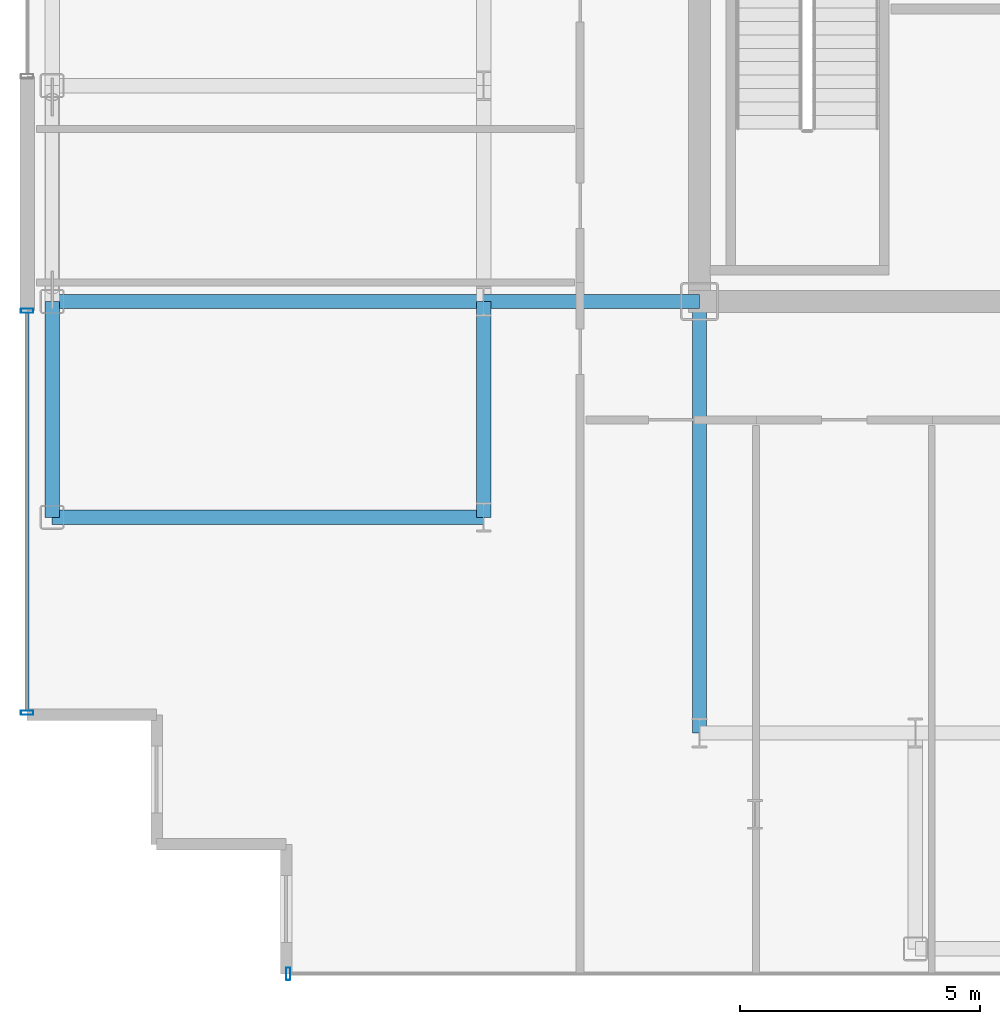
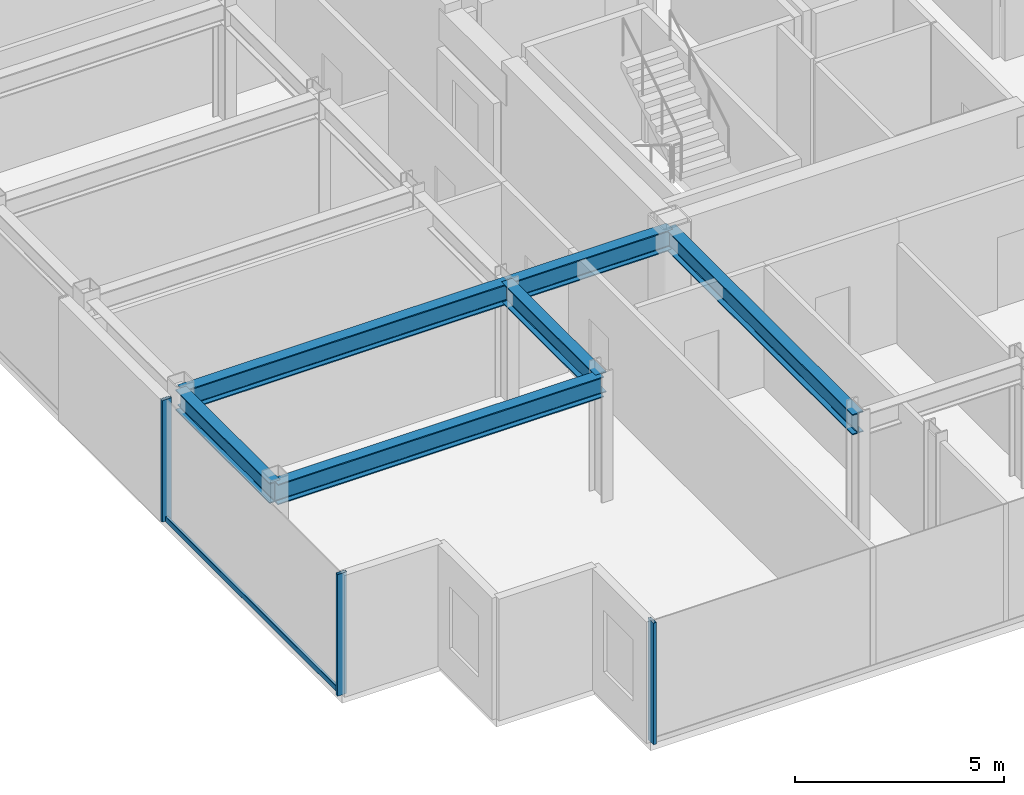
# One storey, part 2 of 18: 6 beams, 4 members, 2 elements without a shape of their own.
"""IFC4 building model written with IfcOpenShell, lengths in metres."""

import ifcopenshell
import ifcopenshell.guid

model = None  # the IFC model being written
_history = None  # IfcOwnerHistory: only IFC2X3 demands one
_inside = {}  # id of a spatial element -> (the spatial element, [elements in it])
_under = {}  # id of a project, library or spatial element -> (it, [spatial elements below it])
_declared = {}  # id of a project -> (the project, [libraries it declares])
_typed = {}  # id of a type object -> (the type object, [elements of that type])
_made_of = {}  # id of a material, layer set ... -> (it, [elements and type objects made of it])


def new_model(schema):
    """Start an empty IFC model of exactly this schema.

    Asked for "IFC4X3", IfcOpenShell would pick the latest addendum, in which some entities
    have other attributes; the version numbers below select the first issue.
    IFC2X3 requires an IfcOwnerHistory on every rooted entity: one is made here for all.
    """
    global model, _history
    if schema == "IFC4X3":
        model = ifcopenshell.file(schema_version=(4, 3, 0, 0))
    else:
        model = ifcopenshell.file(schema=schema)
    _inside.clear()
    _under.clear()
    _declared.clear()
    _typed.clear()
    _made_of.clear()
    _history = None
    if model.schema == "IFC2X3":
        org = make("IfcOrganization", Name="unknown")
        user = make(
            "IfcPersonAndOrganization",
            ThePerson=make("IfcPerson", FamilyName="unknown"),
            TheOrganization=org,
        )
        app = make(
            "IfcApplication",
            ApplicationDeveloper=org,
            Version="unknown",
            ApplicationFullName="unknown",
            ApplicationIdentifier="unknown",
        )
        _history = make(
            "IfcOwnerHistory",
            OwningUser=user,
            OwningApplication=app,
            ChangeAction="ADDED",
            CreationDate=0,
        )
    return model


def make(cls, **values):
    """One entity of the class cls with the attributes given. An attribute that is None is left unset."""
    return model.create_entity(
        cls, **{name: value for name, value in values.items() if value is not None}
    )


def rooted(cls, **values):
    """An entity with a GlobalId (a new one), such as an element, a storey or a relation."""
    return make(cls, GlobalId=ifcopenshell.guid.new(), OwnerHistory=_history, **values)


def si_unit(unit_type, name, prefix=None):
    """IfcSIUnit, for example si_unit("LENGTHUNIT", "METRE", prefix="MILLI")."""
    return make("IfcSIUnit", UnitType=unit_type, Prefix=prefix, Name=name)


def assignment(units):
    """IfcUnitAssignment: the units of a project."""
    return None if units is None else make("IfcUnitAssignment", Units=units)


def point(xyz):
    """IfcCartesianPoint."""
    return None if xyz is None else make("IfcCartesianPoint", Coordinates=xyz)


def direction(xyz):
    """IfcDirection."""
    return None if xyz is None else make("IfcDirection", DirectionRatios=xyz)


def frame(location, z_axis=None, x_axis=None):
    """IfcAxis2Placement3D, a coordinate frame: its origin and axes. An axis left out is left unset."""
    return make(
        "IfcAxis2Placement3D",
        Location=point(location),
        Axis=direction(z_axis),
        RefDirection=direction(x_axis),
    )


def frame_2d(location, x_axis=None):
    """IfcAxis2Placement2D, a coordinate frame in the plane: its origin and x axis."""
    return make(
        "IfcAxis2Placement2D", Location=point(location), RefDirection=direction(x_axis)
    )


def origin():
    """The frame at (0, 0, 0) with its axes left unset."""
    return frame((0.0, 0.0, 0.0))


def origin_2d():
    """The frame at (0, 0) in the plane with its x axis left unset."""
    return frame_2d((0.0, 0.0))


def place(relative_to, where):
    """IfcLocalPlacement: puts the frame where relative to a parent placement (None: the world)."""
    return make(
        "IfcLocalPlacement", PlacementRelTo=relative_to, RelativePlacement=where
    )


def context(
    kind, dimensions, precision=None, world=None, true_north=None, identifier=None
):
    """IfcGeometricRepresentationContext, for example the 3D "Model" context."""
    return make(
        "IfcGeometricRepresentationContext",
        ContextIdentifier=identifier,
        ContextType=kind,
        CoordinateSpaceDimension=dimensions,
        Precision=precision,
        WorldCoordinateSystem=world,
        TrueNorth=true_north,
    )


def subcontext(parent, identifier, kind, view, scale=None):
    """IfcGeometricRepresentationSubContext, for example "Body" below "Model"."""
    return make(
        "IfcGeometricRepresentationSubContext",
        ContextIdentifier=identifier,
        ContextType=kind,
        ParentContext=parent,
        TargetScale=scale,
        TargetView=view,
    )


def project(units=None, contexts=None):
    """IfcProject with its units and contexts."""
    return rooted(
        "IfcProject",
        Name="project",
        RepresentationContexts=contexts,
        UnitsInContext=assignment(units),
    )


def spatial(cls, under=None, at=None, **own):
    """A site, building, storey or space (cls), placed at a placement, below another one or the project."""
    s = rooted(cls, ObjectPlacement=at, **own)
    if under is not None:
        _under.setdefault(under.id(), (under, []))[1].append(s)
    return s


def profile(cls, at=None, kind="AREA", **sizes):
    """A parametric profile (cls). Its sizes go by their IFC names, for example OverallWidth=200.0."""
    return make(cls, ProfileType=kind, Position=at, **sizes)


def hollow_rectangle(**sizes):
    """IfcRectangleHollowProfileDef."""
    return profile("IfcRectangleHollowProfileDef", **sizes)


def i_section(**sizes):
    """IfcIShapeProfileDef."""
    return profile("IfcIShapeProfileDef", **sizes)


def extrude(swept, where, along, depth):
    """IfcExtrudedAreaSolid: the profile swept, set in the frame where, extruded along a direction by depth."""
    return make(
        "IfcExtrudedAreaSolid",
        SweptArea=swept,
        Position=where,
        ExtrudedDirection=direction(along),
        Depth=depth,
    )


def shape(context_of_items, identifier, shape_type, items):
    """IfcShapeRepresentation: the items that make up one representation, for example the "Body"."""
    return make(
        "IfcShapeRepresentation",
        ContextOfItems=context_of_items,
        RepresentationIdentifier=identifier,
        RepresentationType=shape_type,
        Items=items,
    )


def source(mapping_origin, context_of_items, identifier, shape_type, items):
    """IfcRepresentationMap: a shape defined once, which mapped items show again and again."""
    return make(
        "IfcRepresentationMap",
        MappingOrigin=mapping_origin,
        MappedRepresentation=shape(context_of_items, identifier, shape_type, items),
    )


def transform(
    local_origin,
    x_axis=None,
    y_axis=None,
    z_axis=None,
    scale=None,
    scale2=None,
    scale3=None,
    uniform=True,
):
    """IfcCartesianTransformationOperator3D, or its non-uniform kind. x_axis, y_axis, z_axis: its Axis1, 2, 3."""
    if uniform:
        return make(
            "IfcCartesianTransformationOperator3D",
            Axis1=direction(x_axis),
            Axis2=direction(y_axis),
            LocalOrigin=point(local_origin),
            Scale=scale,
            Axis3=direction(z_axis),
        )
    return make(
        "IfcCartesianTransformationOperator3DnonUniform",
        Axis1=direction(x_axis),
        Axis2=direction(y_axis),
        LocalOrigin=point(local_origin),
        Scale=scale,
        Axis3=direction(z_axis),
        Scale2=scale2,
        Scale3=scale3,
    )


def mapped(mapping_source, mapping_target):
    """IfcMappedItem: shows the shape of a source again, moved by a transform."""
    return make(
        "IfcMappedItem", MappingSource=mapping_source, MappingTarget=mapping_target
    )


def material(Name=None, Category=None):
    """IfcMaterial."""
    return make("IfcMaterial", Name=Name, Category=Category)


def layer(
    of_material, thickness, ventilated=None, Name=None, Category=None, Priority=None
):
    """IfcMaterialLayer: one layer of a wall or slab, of a material (None: an air gap)."""
    return make(
        "IfcMaterialLayer",
        Material=of_material,
        LayerThickness=thickness,
        IsVentilated=ventilated,
        Name=Name,
        Category=Category,
        Priority=Priority,
    )


def layer_set(layers, Name=None):
    """IfcMaterialLayerSet."""
    return make("IfcMaterialLayerSet", MaterialLayers=layers, LayerSetName=Name)


def material_profile(
    of_material, cross_section, Name=None, Category=None, Priority=None
):
    """IfcMaterialProfile: a cross section and its material."""
    return make(
        "IfcMaterialProfile",
        Name=Name,
        Material=of_material,
        Profile=cross_section,
        Priority=Priority,
        Category=Category,
    )


def profile_set(profiles, Name=None, composite=None):
    """IfcMaterialProfileSet."""
    return make(
        "IfcMaterialProfileSet",
        Name=Name,
        MaterialProfiles=profiles,
        CompositeProfile=composite,
    )


def made_of(thing, what):
    """Note that an element or type object is made of a material, layer set ...; save() writes the relation."""
    if what is not None:
        _made_of.setdefault(what.id(), (what, []))[1].append(thing)
    return thing


def type_object(cls, material=None, **own):
    """A type object (cls), such as IfcWallType, which elements share."""
    return made_of(rooted(cls, **own), material)


def element(
    cls,
    number,
    at=None,
    inside=None,
    cuts=None,
    type_object=None,
    material=None,
    context=None,
    identifier="Body",
    shape_type=None,
    held_by="IfcProductDefinitionShape",
    body=None,
    shapes=None,
    **own,
):
    """One element of the class cls, such as IfcWall. Its Tag is "e" and its number.

    at: its placement. inside: the storey or other place that contains it. cuts: it is an
    opening in that element (IfcRelVoidsElement). A single representation is given by context,
    identifier, shape_type and body (its items); several are given by shapes. held_by: the class
    of the entity that holds the representations. save() writes the other relations.
    """
    e = rooted(cls, Tag="e%d" % number, ObjectPlacement=at, **own)
    if body is not None:
        shapes = [shape(context, identifier, shape_type, body)]
    if shapes is not None:
        e.Representation = make(held_by, Representations=shapes)
    if inside is not None:
        _inside.setdefault(inside.id(), (inside, []))[1].append(e)
    if cuts is not None:
        rooted(
            "IfcRelVoidsElement", RelatingBuildingElement=cuts, RelatedOpeningElement=e
        )
    if type_object is not None:
        _typed.setdefault(type_object.id(), (type_object, []))[1].append(e)
    return made_of(e, material)


def aggregate(whole, parts):
    """IfcRelAggregates: a whole, such as a stair, and the parts it consists of."""
    return rooted("IfcRelAggregates", RelatingObject=whole, RelatedObjects=parts)


def save(model, path):
    """Write the relations noted so far, then the file.

    IfcRelAggregates (storeys below a building ...), IfcRelContainedInSpatialStructure (elements
    in a storey), IfcRelDefinesByType, IfcRelAssociatesMaterial and IfcRelDeclares: one each for
    every whole, place, type object, material and project.
    """
    for whole, parts in _under.values():
        aggregate(whole, parts)
    for where, things in _inside.values():
        rooted(
            "IfcRelContainedInSpatialStructure",
            RelatedElements=things,
            RelatingStructure=where,
        )
    for kind, things in _typed.values():
        rooted("IfcRelDefinesByType", RelatedObjects=things, RelatingType=kind)
    for what, things in _made_of.values():
        rooted("IfcRelAssociatesMaterial", RelatedObjects=things, RelatingMaterial=what)
    for by, libraries in _declared.values():
        rooted("IfcRelDeclares", RelatingContext=by, RelatedDefinitions=libraries)
    model.write(path)


model = new_model("IFC4")

# Units and contexts
model_context = context("Model", 3, precision=1e-05, world=origin(), true_north=direction((0.0, 1.0)))
body_context = subcontext(model_context, "Body", "Model", "MODEL_VIEW")
ifc_project = project(units=[si_unit("LENGTHUNIT", "METRE"), si_unit("AREAUNIT", "SQUARE_METRE"), si_unit("VOLUMEUNIT", "CUBIC_METRE"), si_unit("PLANEANGLEUNIT", "RADIAN"), si_unit("MASSUNIT", "GRAM", prefix="KILO")], contexts=[model_context])

# Site, building, storey
site_placement = place(None, origin())
site = spatial("IfcSite", under=ifc_project, at=site_placement, CompositionType="ELEMENT")
building_placement = place(site_placement, origin())
building = spatial("IfcBuilding", under=site, at=building_placement, Name="Nefas-Gora Pilgrimage Tower", CompositionType="ELEMENT")
storey_placement = place(building_placement, frame((0.0, 0.0, 298.800048828125)))
storey = spatial("IfcBuildingStorey", under=building, at=storey_placement, Name="L75", CompositionType="ELEMENT", Elevation=298.800048828125)

# Beams
ifc_material_1 = material(Name="Steel S355", Category="steel")
ifc_material_profile_1 = material_profile(ifc_material_1, i_section(OverallWidth=0.300048828125, OverallDepth=0.60009765625, WebThickness=0.015380859375, FlangeThickness=0.030029296875, FilletRadius=0.027099609375, at=origin_2d()), Name="HEB 600")
ifc_profile_set_1 = profile_set([ifc_material_profile_1], Name="Steel S355")
beam_type_1 = type_object("IfcBeamType", Name="BM-SPN-HEB450", PredefinedType="SPANDREL", material=ifc_profile_set_1)
shared_shape_1 = source(origin(), body_context, "Body", "SweptSolid", [
    extrude(i_section(OverallWidth=0.300048828125, OverallDepth=0.60009765625, WebThickness=0.015380859375, FlangeThickness=0.030029296875, FilletRadius=0.027099609375, at=origin_2d()), origin(), (0.0, 0.0, 1.0), 4.5),
])
beam_placement = place(storey_placement, frame((-24.75, -13.5, 3.25), z_axis=(0.0, 1.0, 0.0), x_axis=(-1.0, 0.0, 0.0)))
element("IfcBeam", 1, at=beam_placement, inside=storey, type_object=beam_type_1, Name="L75 SP-03 beam", PredefinedType="SPANDREL", context=body_context, shape_type="MappedRepresentation", body=[
    mapped(shared_shape_1, transform((0.0, 0.0, 0.0), x_axis=(1.0, 0.0, 0.0), y_axis=(0.0, 1.0, 0.0), z_axis=(0.0, 0.0, 1.0), scale=1.0)),
])
ifc_material_profile_2 = material_profile(ifc_material_1, i_section(OverallWidth=0.300048828125, OverallDepth=0.60009765625, WebThickness=0.015380859375, FlangeThickness=0.030029296875, FilletRadius=0.027099609375, at=origin_2d()), Name="HEB 600")
ifc_profile_set_2 = profile_set([ifc_material_profile_2], Name="Steel S355")
beam_type_2 = type_object("IfcBeamType", Name="BM-GIR-HEB600", PredefinedType="BEAM", material=ifc_profile_set_2)
shared_shape_2 = source(origin(), body_context, "Body", "SweptSolid", [
    extrude(i_section(OverallWidth=0.300048828125, OverallDepth=0.60009765625, WebThickness=0.015380859375, FlangeThickness=0.030029296875, FilletRadius=0.027099609375, at=origin_2d()), origin(), (0.0, 0.0, 1.0), 9.0),
])
for number, where, z_axis, x_axis, name in (
    (2, (-24.75, -13.5, 3.25), (1.0, 0.0, 0.0), (0.0, 1.0, 0.0), "L75 G-04 beam"),
    (3, (-24.75, -9.0, 3.25), (1.0, 0.0, 0.0), (0.0, 1.0, 0.0), "L75 G-04 beam"),
    (4, (-11.25, -18.0, 3.25), (0.0, 1.0, 0.0), (-1.0, 0.0, 0.0), "L75 G-04 beam"),
):
    element("IfcBeam", number, at=place(storey_placement, frame(where, z_axis=z_axis, x_axis=x_axis)), inside=storey, type_object=beam_type_2, Name=name, PredefinedType="BEAM", context=body_context, shape_type="MappedRepresentation", body=[
        mapped(shared_shape_2, transform((0.0, 0.0, 0.0), x_axis=(1.0, 0.0, 0.0), y_axis=(0.0, 1.0, 0.0), z_axis=(0.0, 0.0, 1.0), scale=1.0)),
    ])
shared_shape_3 = source(origin(), body_context, "Body", "SweptSolid", [
    extrude(i_section(OverallWidth=0.300048828125, OverallDepth=0.60009765625, WebThickness=0.015380859375, FlangeThickness=0.030029296875, FilletRadius=0.027099609375, at=origin_2d()), origin(), (0.0, 0.0, 1.0), 4.5),
])
for number, where, z_axis, x_axis, name in (
    (5, (-15.75, -13.5, 3.25), (0.0, 1.0, 0.0), (-1.0, 0.0, 0.0), "L75 G-04 beam"),
    (6, (-15.75, -9.0, 3.25), (1.0, 0.0, 0.0), (0.0, 1.0, 0.0), "L75 G-04 beam"),
):
    element("IfcBeam", number, at=place(storey_placement, frame(where, z_axis=z_axis, x_axis=x_axis)), inside=storey, type_object=beam_type_2, Name=name, PredefinedType="BEAM", context=body_context, shape_type="MappedRepresentation", body=[
        mapped(shared_shape_3, transform((0.0, 0.0, 0.0), x_axis=(1.0, 0.0, 0.0), y_axis=(0.0, 1.0, 0.0), z_axis=(0.0, 0.0, 1.0), scale=1.0)),
    ])

# Curtain wall, member
ifc_material_2 = material(Name="Dark ceramic-fritted solar-control aluminium-glass curtain wall", Category="aluminium")
ifc_layer = layer(ifc_material_2, 0.219970703125)
ifc_layer_set = layer_set([ifc_layer], Name="Dark ceramic-fritted solar-control aluminium-glass curtain wall")
curtain_wall_type = type_object("IfcCurtainWallType", Name="CW-SYS-4", PredefinedType="NOTDEFINED", material=ifc_layer_set)
curtain_wall_1_placement = place(storey_placement, origin())
curtain_wall_1 = element("IfcCurtainWall", 7, at=curtain_wall_1_placement, inside=storey, type_object=curtain_wall_type, Name="L75 Unitised Curtain Wall CW4", PredefinedType="NOTDEFINED")
ifc_material_3 = material(Name="Anodised architectural aluminium", Category="aluminium")
ifc_material_profile_3 = material_profile(ifc_material_3, hollow_rectangle(XDim=0.080078125, YDim=0.159912109375, WallThickness=0.00439453125, InnerFilletRadius=0.00439453125, OuterFilletRadius=0.009033203125, at=origin_2d()), Name="ALU TRANSOM 80x160")
ifc_profile_set_3 = profile_set([ifc_material_profile_3], Name="Anodised architectural aluminium")
member_type_1 = type_object("IfcMemberType", Name="CWM-TRN-4", PredefinedType="USERDEFINED", material=ifc_profile_set_3)
shared_shape_4 = source(origin(), body_context, "Body", "SweptSolid", [
    extrude(hollow_rectangle(XDim=0.080078125, YDim=0.159912109375, WallThickness=0.00439453125, InnerFilletRadius=0.00439453125, OuterFilletRadius=0.009033203125, at=origin_2d()), origin(), (0.0, 0.0, 1.0), 8.2900390625),
])
member_1_placement = place(storey_placement, frame((-25.27001953125, -9.239990234375, 0.050048828125), z_axis=(0.0, -1.0, 0.0), x_axis=(1.0, 0.0, 0.0)))
member_1 = element("IfcMember", 8, at=member_1_placement, type_object=member_type_1, Name="CW4 Spandrel Transom", ObjectType="TRANSOM", PredefinedType="USERDEFINED", context=body_context, shape_type="MappedRepresentation", body=[
    mapped(shared_shape_4, transform((0.0, 0.0, 0.0), x_axis=(1.0, 0.0, 0.0), y_axis=(0.0, 1.0, 0.0), z_axis=(0.0, 0.0, 1.0), scale=1.0)),
])

curtain_wall_2_placement = place(storey_placement, origin())
curtain_wall_2 = element("IfcCurtainWall", 9, at=curtain_wall_2_placement, inside=storey, type_object=curtain_wall_type, Name="L75 Unitised Curtain Wall CW4", PredefinedType="NOTDEFINED")
ifc_material_profile_4 = material_profile(ifc_material_3, hollow_rectangle(XDim=0.090087890625, YDim=0.260009765625, WallThickness=0.006103515625, InnerFilletRadius=0.006103515625, OuterFilletRadius=0.011962890625, at=origin_2d()), Name="ALU MULLION 90x260")
ifc_profile_set_4 = profile_set([ifc_material_profile_4], Name="Anodised architectural aluminium")
member_type_2 = type_object("IfcMemberType", Name="CWM-MUL-4", PredefinedType="MULLION", material=ifc_profile_set_4)
shared_shape_5 = source(origin(), body_context, "Body", "SweptSolid", [
    extrude(hollow_rectangle(XDim=0.090087890625, YDim=0.260009765625, WallThickness=0.006103515625, InnerFilletRadius=0.006103515625, OuterFilletRadius=0.011962890625, at=origin_2d()), origin(), (0.0, 0.0, 1.0), 3.550048828125),
])
member_2_placement = place(storey_placement, frame((-19.824951171875, -23.02001953125, 0.0), z_axis=(0.0, 0.0, 1.0), x_axis=(1.0, 0.0, 0.0)))
member_2 = element("IfcMember", 10, at=member_2_placement, type_object=member_type_2, Name="CW4 Mullion 1", PredefinedType="MULLION", context=body_context, shape_type="MappedRepresentation", body=[
    mapped(shared_shape_5, transform((0.0, 0.0, 0.0), x_axis=(1.0, 0.0, 0.0), y_axis=(0.0, 1.0, 0.0), z_axis=(0.0, 0.0, 1.0), scale=1.0)),
])
aggregate(curtain_wall_2, [member_2])

# Member
member_3_placement = place(storey_placement, frame((-25.27001953125, -9.195068359375, 0.0), z_axis=(0.0, 0.0, 1.0), x_axis=(0.0, -1.0, 0.0)))
member_3 = element("IfcMember", 11, at=member_3_placement, type_object=member_type_2, Name="CW4 Mullion 1", PredefinedType="MULLION", context=body_context, shape_type="MappedRepresentation", body=[
    mapped(shared_shape_5, transform((0.0, 0.0, 0.0), x_axis=(1.0, 0.0, 0.0), y_axis=(0.0, 1.0, 0.0), z_axis=(0.0, 0.0, 1.0), scale=1.0)),
])

member_4_placement = place(storey_placement, frame((-25.27001953125, -17.574951171875, 0.0), z_axis=(0.0, 0.0, 1.0), x_axis=(0.0, -1.0, 0.0)))
member_4 = element("IfcMember", 12, at=member_4_placement, type_object=member_type_2, Name="CW4 Mullion 2", PredefinedType="MULLION", context=body_context, shape_type="MappedRepresentation", body=[
    mapped(shared_shape_5, transform((0.0, 0.0, 0.0), x_axis=(1.0, 0.0, 0.0), y_axis=(0.0, 1.0, 0.0), z_axis=(0.0, 0.0, 1.0), scale=1.0)),
])

aggregate(curtain_wall_1, [member_3, member_4, member_1])

save(model, "model.ifc")
